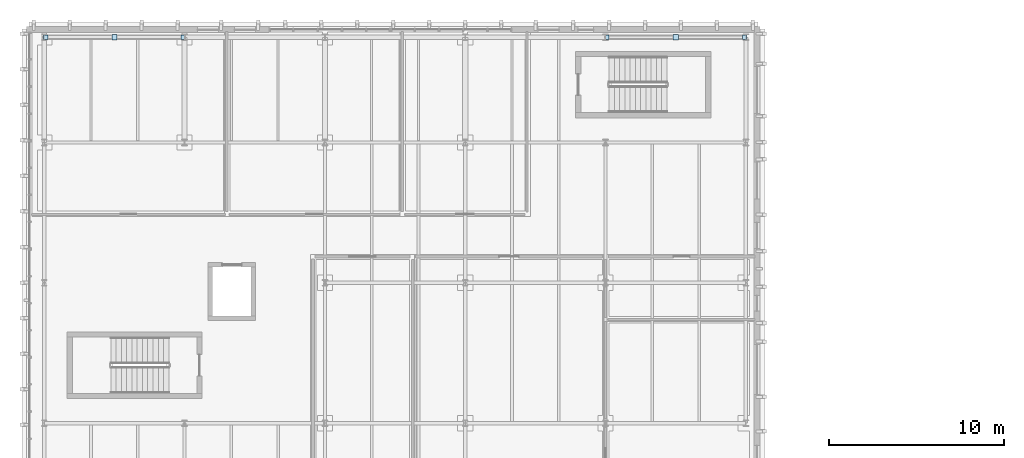
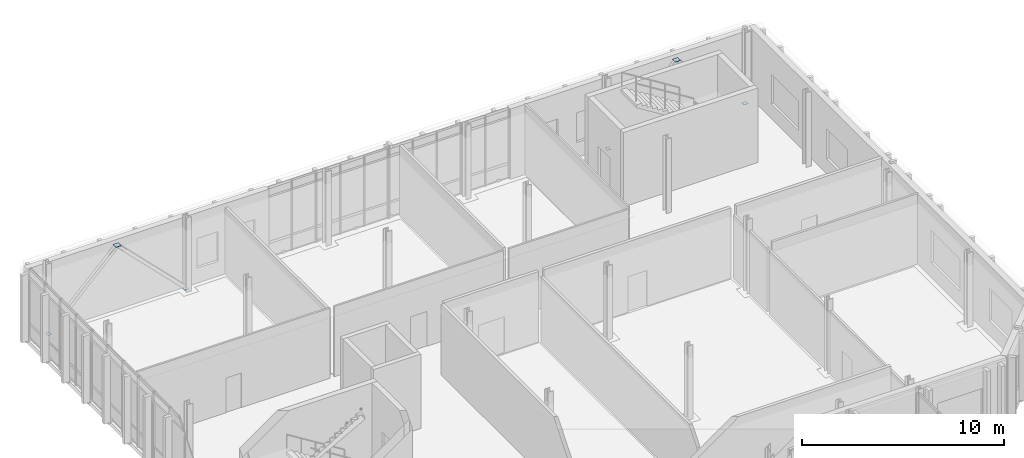
# One storey, part 65 of 100: 6 plates.
"""IFC4 building model written with IfcOpenShell, lengths in metres."""

from ifc_helpers import new_model, si_unit, direction, frame, origin, origin_2d, place, context, subcontext, project, spatial, rectangle, extrude, material, layer, layer_set, type_object, element, save


model = new_model("IFC4")

# Units and contexts
model_context = context("Model", 3, precision=1e-05, world=origin(), true_north=direction((0.0, 1.0)))
body_context = subcontext(model_context, "Body", "Model", "MODEL_VIEW")
ifc_project = project(units=[si_unit("LENGTHUNIT", "METRE"), si_unit("AREAUNIT", "SQUARE_METRE"), si_unit("VOLUMEUNIT", "CUBIC_METRE"), si_unit("PLANEANGLEUNIT", "RADIAN"), si_unit("MASSUNIT", "GRAM", prefix="KILO")], contexts=[model_context])

# Site, building, storey
site_placement = place(None, origin())
site = spatial("IfcSite", under=ifc_project, at=site_placement, CompositionType="ELEMENT")
building_placement = place(site_placement, origin())
building = spatial("IfcBuilding", under=site, at=building_placement, Name="Cymarion Research Institute", CompositionType="ELEMENT")
storey_placement = place(building_placement, frame((0.0, 0.0, 9.300048828125)))
storey = spatial("IfcBuildingStorey", under=building, at=storey_placement, Name="L02", CompositionType="ELEMENT", Elevation=9.300048828125)

# Plates
ifc_material = material(Name="Steel S355", Category="steel")
ifc_layer_1 = layer(ifc_material, 0.01806640625)
ifc_layer_set_1 = layer_set([ifc_layer_1], Name="Steel S355")
plate_type_1 = type_object("IfcPlateType", Name="STEEL NODE GUSSET PLATE CP01 18MM", PredefinedType="USERDEFINED", material=ifc_layer_set_1)
for number, where, z_axis, x_axis, name in (
    (1, (10.60009765625, 115.5, 4.100830078125), (0.0, 0.0, 1.0), (1.0, 0.0, 0.0), "L02 V5 chevron apex gusset plate"),
    (2, (42.60009765625, 115.5, 4.100830078125), (0.0, 0.0, 1.0), (1.0, 0.0, 0.0), "L02 V5 chevron apex gusset plate"),
):
    element("IfcPlate", number, at=place(storey_placement, frame(where, z_axis=z_axis, x_axis=x_axis)), inside=storey, type_object=plate_type_1, Name=name, ObjectType="GUSSET PLATE", PredefinedType="USERDEFINED", context=body_context, shape_type="SweptSolid", body=[
        extrude(rectangle(XDim=0.300048828125, YDim=0.300048828125, at=origin_2d()), origin(), (0.0, 0.0, 1.0), 0.01806640625),
    ])
ifc_layer_2 = layer(ifc_material, 0.011962890625)
ifc_layer_set_2 = layer_set([ifc_layer_2], Name="Steel S355")
plate_type_2 = type_object("IfcPlateType", Name="STEEL NODE GUSSET PLATE CP02 12MM", PredefinedType="USERDEFINED", material=ifc_layer_set_2)
for number, where, z_axis, x_axis, name in (
    (3, (6.68505859375, 115.5, 0.11376953125), (0.0, 0.0, 1.0), (1.0, 0.0, 0.0), "L02 V5 chevron base gusset plate #1"),
    (4, (14.514892578125, 115.5, 0.11376953125), (0.0, 0.0, 1.0), (1.0, 0.0, 0.0), "L02 V5 chevron base gusset plate #2"),
    (5, (38.68505859375, 115.5, 0.11376953125), (0.0, 0.0, 1.0), (1.0, 0.0, 0.0), "L02 V5 chevron base gusset plate #1"),
    (6, (46.514892578125, 115.5, 0.11376953125), (0.0, 0.0, 1.0), (1.0, 0.0, 0.0), "L02 V5 chevron base gusset plate #2"),
):
    element("IfcPlate", number, at=place(storey_placement, frame(where, z_axis=z_axis, x_axis=x_axis)), inside=storey, type_object=plate_type_2, Name=name, ObjectType="GUSSET PLATE", PredefinedType="USERDEFINED", context=body_context, shape_type="SweptSolid", body=[
        extrude(rectangle(XDim=0.239990234375, YDim=0.239990234375, at=origin_2d()), origin(), (0.0, 0.0, 1.0), 0.011962890625),
    ])

save(model, "model.ifc")
